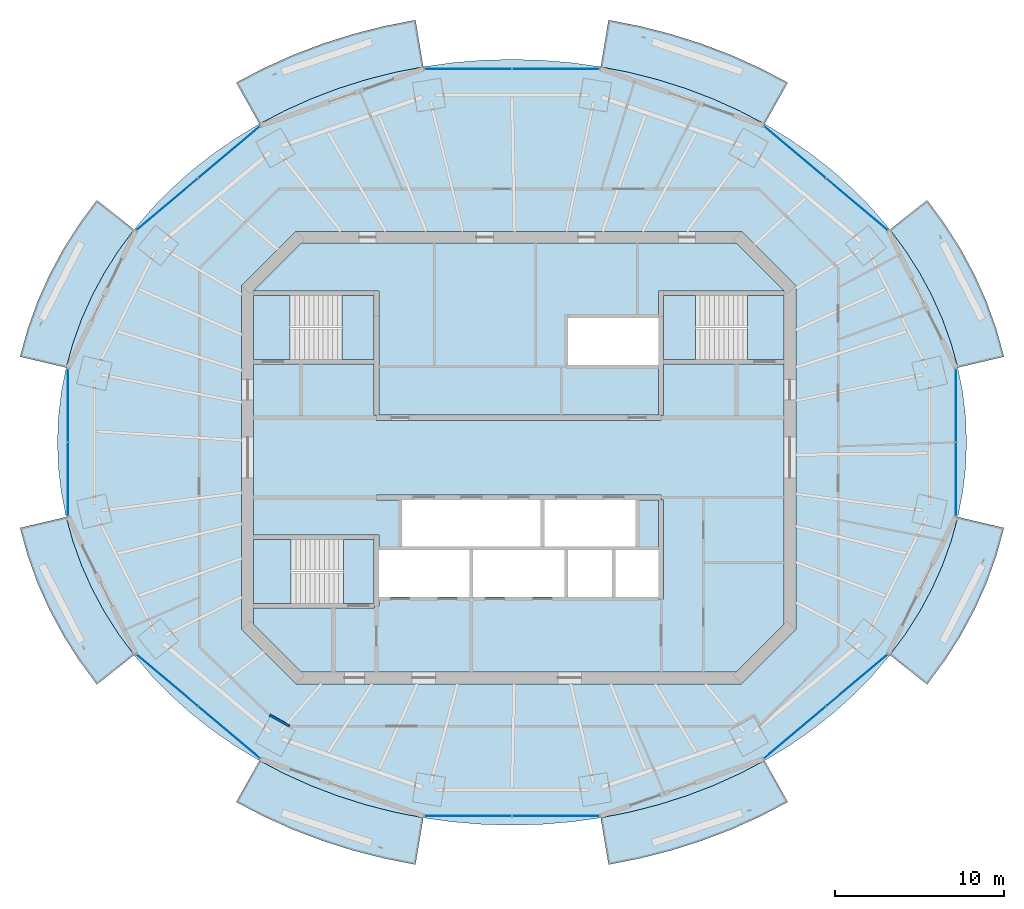
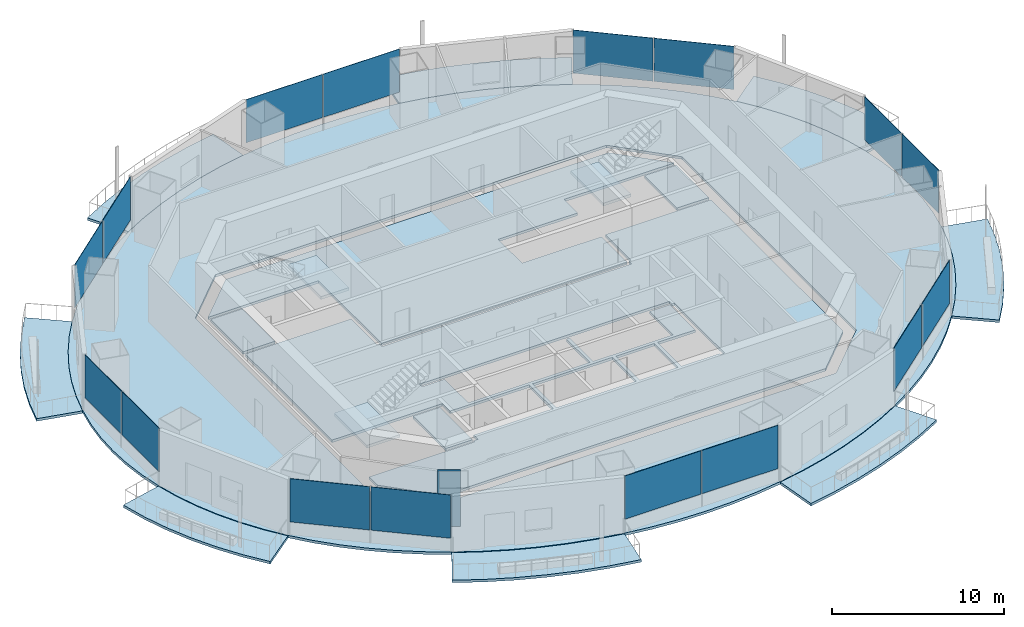
# One storey, part 7 of 16: 17 slabs, 16 plates, 1 wall, 11 elements without a shape of their own.
"""IFC4 building model written with IfcOpenShell, lengths in metres."""

from ifc_helpers import new_model, si_unit, direction, frame, frame_2d, origin, origin_2d, place, context, subcontext, project, spatial, polyline, rectangle, outline, extrude, material, layer, layer_set, type_object, element, aggregate, save


model = new_model("IFC4")

# Units and contexts
model_context = context("Model", 3, precision=1e-05, world=origin(), true_north=direction((0.0, 1.0)))
body_context = subcontext(model_context, "Body", "Model", "MODEL_VIEW")
ifc_project = project(units=[si_unit("LENGTHUNIT", "METRE"), si_unit("AREAUNIT", "SQUARE_METRE"), si_unit("VOLUMEUNIT", "CUBIC_METRE"), si_unit("PLANEANGLEUNIT", "RADIAN"), si_unit("MASSUNIT", "GRAM", prefix="KILO")], contexts=[model_context])

# Site, building, storey
site_placement = place(None, origin())
site = spatial("IfcSite", under=ifc_project, at=site_placement, CompositionType="ELEMENT")
building_placement = place(site_placement, origin())
building = spatial("IfcBuilding", under=site, at=building_placement, Name="Marenthal Gate Tower", CompositionType="ELEMENT")
storey_placement = place(building_placement, frame((0.0, 0.0, 346.75)))
storey = spatial("IfcBuildingStorey", under=building, at=storey_placement, Name="L78", CompositionType="ELEMENT", Elevation=346.75)

# Slabs
ifc_material_1 = material(Name="Concrete 40 MPa", Category="concrete")
ifc_layer_1 = layer(ifc_material_1, 0.179931640625)
ifc_layer_set_1 = layer_set([ifc_layer_1], Name="Balcony deck 180")
slab_type_1 = type_object("IfcSlabType", Name="Balcony deck 180", PredefinedType="USERDEFINED", material=ifc_layer_set_1)
slab_1_placement = place(storey_placement, frame((0.0, 0.0, -0.219970703125)))
element("IfcSlab", 1, at=slab_1_placement, inside=storey, type_object=slab_type_1, Name="Balcony deck L78 bay 1", ObjectType="BALCONY", PredefinedType="USERDEFINED", context=body_context, shape_type="SweptSolid", body=[
    extrude(outline(polyline([(25.91162109375, 5.308349609375), (25.512939453125, 6.748291015625), (25.00341796875, 8.1630859375), (24.385009765625, 9.547119140625), (23.660400390625, 10.89404296875), (22.8330078125, 12.197998046875), (21.90576171875, 13.45361328125), (24.099365234375, 15.19384765625), (25.142333984375, 13.781005859375), (26.07666015625, 12.308837890625), (26.8974609375, 10.78271484375), (27.600341796875, 9.209716796875), (28.18115234375, 7.59716796875), (28.636474609375, 5.951904296875), (25.91162109375, 5.308349609375)])), origin(), (0.0, 0.0, 1.0), 0.179931640625),
])
slab_2_placement = place(storey_placement, frame((0.0, 0.0, -0.219970703125)))
element("IfcSlab", 2, at=slab_2_placement, inside=storey, type_object=slab_type_1, Name="Balcony deck L78 bay 3", ObjectType="BALCONY", PredefinedType="USERDEFINED", context=body_context, shape_type="SweptSolid", body=[
    extrude(outline(polyline([(14.50439453125, 19.68798828125), (13.013427734375, 20.46875), (11.46533203125, 21.165771484375), (9.8662109375, 21.77587890625), (8.223388671875, 22.296875), (6.543212890625, 22.72607421875), (4.833740234375, 23.061767578125), (5.29638671875, 25.8232421875), (7.15966796875, 25.45751953125), (8.992919921875, 24.989013671875), (10.78857421875, 24.419677734375), (12.539306640625, 23.75146484375), (14.238037109375, 22.98681640625), (15.877685546875, 22.1279296875), (14.50439453125, 19.68798828125)])), origin(), (0.0, 0.0, 1.0), 0.179931640625),
])
slab_3_placement = place(storey_placement, frame((0.0, 0.0, -0.219970703125)))
element("IfcSlab", 3, at=slab_3_placement, inside=storey, type_object=slab_type_1, Name="Balcony deck L78 bay 5", ObjectType="BALCONY", PredefinedType="USERDEFINED", context=body_context, shape_type="SweptSolid", body=[
    extrude(outline(polyline([(-5.6337890625, 23.061767578125), (-7.34326171875, 22.72607421875), (-9.023193359375, 22.296875), (-10.666259765625, 21.77587890625), (-12.265380859375, 21.165771484375), (-13.8134765625, 20.46875), (-15.30419921875, 19.68798828125), (-16.677490234375, 22.1279296875), (-15.0380859375, 22.98681640625), (-13.33935546875, 23.75146484375), (-11.588623046875, 24.419677734375), (-9.79296875, 24.989013671875), (-7.959716796875, 25.45751953125), (-6.096435546875, 25.8232421875), (-5.6337890625, 23.061767578125)])), origin(), (0.0, 0.0, 1.0), 0.179931640625),
])
slab_4_placement = place(storey_placement, frame((0.0, 0.0, -0.219970703125)))
element("IfcSlab", 4, at=slab_4_placement, inside=storey, type_object=slab_type_1, Name="Balcony deck L78 bay 7", ObjectType="BALCONY", PredefinedType="USERDEFINED", context=body_context, shape_type="SweptSolid", body=[
    extrude(outline(polyline([(-22.705810546875, 13.45361328125), (-23.6328125, 12.197998046875), (-24.46044921875, 10.89404296875), (-25.184814453125, 9.547119140625), (-25.80322265625, 8.1630859375), (-26.31298828125, 6.748291015625), (-26.71142578125, 5.308349609375), (-29.4365234375, 5.951904296875), (-28.981201171875, 7.59716796875), (-28.400390625, 9.209716796875), (-27.697509765625, 10.78271484375), (-26.876708984375, 12.308837890625), (-25.9423828125, 13.781005859375), (-24.8994140625, 15.19384765625), (-22.705810546875, 13.45361328125)])), origin(), (0.0, 0.0, 1.0), 0.179931640625),
])
slab_5_placement = place(storey_placement, frame((0.0, 0.0, -0.219970703125)))
element("IfcSlab", 5, at=slab_5_placement, inside=storey, type_object=slab_type_1, Name="Balcony deck L78 bay 9", ObjectType="BALCONY", PredefinedType="USERDEFINED", context=body_context, shape_type="SweptSolid", body=[
    extrude(outline(polyline([(-26.71142578125, -3.50830078125), (-26.31298828125, -4.9482421875), (-25.80322265625, -6.36328125), (-25.184814453125, -7.7470703125), (-24.46044921875, -9.093994140625), (-23.6328125, -10.39794921875), (-22.705810546875, -11.65380859375), (-24.8994140625, -13.393798828125), (-25.9423828125, -11.98095703125), (-26.876708984375, -10.5087890625), (-27.697509765625, -8.982666015625), (-28.400390625, -7.409912109375), (-28.981201171875, -5.797119140625), (-29.4365234375, -4.15185546875), (-26.71142578125, -3.50830078125)])), origin(), (0.0, 0.0, 1.0), 0.179931640625),
])
slab_6_placement = place(storey_placement, frame((0.0, 0.0, -0.219970703125)))
element("IfcSlab", 6, at=slab_6_placement, inside=storey, type_object=slab_type_1, Name="Balcony deck L78 bay 11", ObjectType="BALCONY", PredefinedType="USERDEFINED", context=body_context, shape_type="SweptSolid", body=[
    extrude(outline(polyline([(-15.30419921875, -17.887939453125), (-13.8134765625, -18.668701171875), (-12.265380859375, -19.36572265625), (-10.666259765625, -19.97607421875), (-9.023193359375, -20.496826171875), (-7.34326171875, -20.926025390625), (-5.6337890625, -21.26171875), (-6.096435546875, -24.023193359375), (-7.959716796875, -23.657470703125), (-9.79296875, -23.18896484375), (-11.588623046875, -22.61962890625), (-13.33935546875, -21.951416015625), (-15.0380859375, -21.186767578125), (-16.677490234375, -20.327880859375), (-15.30419921875, -17.887939453125)])), origin(), (0.0, 0.0, 1.0), 0.179931640625),
])
slab_7_placement = place(storey_placement, frame((0.0, 0.0, -0.219970703125)))
element("IfcSlab", 7, at=slab_7_placement, inside=storey, type_object=slab_type_1, Name="Balcony deck L78 bay 13", ObjectType="BALCONY", PredefinedType="USERDEFINED", context=body_context, shape_type="SweptSolid", body=[
    extrude(outline(polyline([(4.833740234375, -21.26171875), (6.543212890625, -20.926025390625), (8.223388671875, -20.496826171875), (9.8662109375, -19.97607421875), (11.46533203125, -19.36572265625), (13.013427734375, -18.668701171875), (14.50439453125, -17.887939453125), (15.877685546875, -20.327880859375), (14.238037109375, -21.186767578125), (12.539306640625, -21.951416015625), (10.78857421875, -22.61962890625), (8.992919921875, -23.18896484375), (7.15966796875, -23.657470703125), (5.29638671875, -24.023193359375), (4.833740234375, -21.26171875)])), origin(), (0.0, 0.0, 1.0), 0.179931640625),
])
slab_8_placement = place(storey_placement, frame((0.0, 0.0, -0.219970703125)))
element("IfcSlab", 8, at=slab_8_placement, inside=storey, type_object=slab_type_1, Name="Balcony deck L78 bay 15", ObjectType="BALCONY", PredefinedType="USERDEFINED", context=body_context, shape_type="SweptSolid", body=[
    extrude(outline(polyline([(21.90576171875, -11.65380859375), (22.8330078125, -10.39794921875), (23.660400390625, -9.093994140625), (24.385009765625, -7.7470703125), (25.00341796875, -6.36328125), (25.512939453125, -4.9482421875), (25.91162109375, -3.50830078125), (28.636474609375, -4.15185546875), (28.18115234375, -5.797119140625), (27.600341796875, -7.409912109375), (26.8974609375, -8.982666015625), (26.07666015625, -10.5087890625), (25.142333984375, -11.98095703125), (24.099365234375, -13.393798828125), (21.90576171875, -11.65380859375)])), origin(), (0.0, 0.0, 1.0), 0.179931640625),
])
ifc_material_2 = material(Name="Concrete 50 MPa", Category="concrete")
ifc_layer_2 = layer(ifc_material_2, 0.179931640625)
ifc_layer_set_2 = layer_set([ifc_layer_2], Name="Core floor slab 180")
slab_type_2 = type_object("IfcSlabType", Name="Core floor slab 180", PredefinedType="FLOOR", material=ifc_layer_set_2)
slab_9_placement = place(storey_placement, frame((0.0, 0.0, -0.179931640625)))
element("IfcSlab", 9, at=slab_9_placement, inside=storey, type_object=slab_type_2, Name="Core floor L78", PredefinedType="FLOOR", context=body_context, shape_type="SweptSolid", body=[
    extrude(outline(polyline([(12.85498046875, -12.64990234375), (-12.85498046875, -12.64990234375), (-15.64990234375, -9.85498046875), (-15.64990234375, -8.875), (-8.550048828125, -8.875), (-8.550048828125, -8.75), (-8.25, -8.75), (-8.25, -8.239990234375), (-5.60009765625, -8.239990234375), (-2.909912109375, -8.239990234375), (-2.909912109375, -5.4599609375), (-5.60009765625, -5.4599609375), (-8.25, -5.4599609375), (-8.25, -4.574951171875), (-8.550048828125, -4.574951171875), (-15.64990234375, -4.574951171875), (-15.64990234375, 5.52490234375), (-8.550048828125, 5.52490234375), (-8.550048828125, 2.5), (-8.39990234375, 2.5), (-8.39990234375, 2.199951171875), (8.39990234375, 2.199951171875), (8.39990234375, 2.5), (8.550048828125, 2.5), (8.550048828125, 5.52490234375), (15.64990234375, 5.52490234375), (15.64990234375, -9.85498046875), (12.85498046875, -12.64990234375)]), holes=[polyline([(0.0, -8.239990234375), (2.68994140625, -8.239990234375), (2.68994140625, -5.4599609375), (0.0, -5.4599609375), (-2.68994140625, -5.4599609375), (-2.68994140625, -8.239990234375), (0.0, -8.239990234375)]), polyline([(1.2900390625, -5.239990234375), (1.2900390625, -2.5), (1.510009765625, -2.5), (1.510009765625, -5.239990234375), (4.199951171875, -5.239990234375), (6.889892578125, -5.239990234375), (6.889892578125, -2.5), (8.25, -2.5), (8.25, -5.4599609375), (5.7099609375, -5.4599609375), (5.7099609375, -8.239990234375), (8.25, -8.239990234375), (8.25, -8.35009765625), (8.550048828125, -8.35009765625), (8.550048828125, -2.5), (8.39990234375, -2.5), (8.39990234375, -2.199951171875), (-8.39990234375, -2.199951171875), (-8.39990234375, -2.5), (-6.889892578125, -2.5), (-6.889892578125, -5.239990234375), (-4.199951171875, -5.239990234375), (-1.39990234375, -5.239990234375), (1.2900390625, -5.239990234375)]), polyline([(5.489990234375, -5.4599609375), (2.909912109375, -5.4599609375), (2.909912109375, -8.239990234375), (5.489990234375, -8.239990234375), (5.489990234375, -5.4599609375)])]), origin(), (0.0, 0.0, 1.0), 0.179931640625),
])
slab_10_placement = place(storey_placement, frame((0.0, 0.0, -0.179931640625)))
element("IfcSlab", 10, at=slab_10_placement, inside=storey, type_object=slab_type_2, Name="Core floor L78", PredefinedType="FLOOR", context=body_context, shape_type="SweptSolid", body=[
    extrude(outline(polyline([(15.64990234375, 5.77490234375), (13.5, 5.77490234375), (13.5, 9.574951171875), (15.64990234375, 9.574951171875), (15.64990234375, 5.77490234375)])), origin(), (0.0, 0.0, 1.0), 0.179931640625),
])
slab_11_placement = place(storey_placement, frame((0.0, 0.0, -0.179931640625)))
element("IfcSlab", 11, at=slab_11_placement, inside=storey, type_object=slab_type_2, Name="Core floor L78", PredefinedType="FLOOR", context=body_context, shape_type="SweptSolid", body=[
    extrude(outline(polyline([(15.64990234375, 9.824951171875), (8.550048828125, 9.824951171875), (8.25, 9.824951171875), (8.25, 8.35009765625), (8.25, 8.239990234375), (5.60009765625, 8.239990234375), (2.909912109375, 8.239990234375), (2.909912109375, 5.4599609375), (5.60009765625, 5.4599609375), (8.25, 5.4599609375), (8.25, 2.5), (-8.25, 2.5), (-8.25, 8.35009765625), (-8.25, 9.824951171875), (-8.550048828125, 9.824951171875), (-15.64990234375, 9.824951171875), (-15.64990234375, 9.85498046875), (-12.85498046875, 12.64990234375), (12.85498046875, 12.64990234375), (15.64990234375, 9.85498046875), (15.64990234375, 9.824951171875)])), origin(), (0.0, 0.0, 1.0), 0.179931640625),
])
slab_12_placement = place(storey_placement, frame((0.0, 0.0, -0.179931640625)))
element("IfcSlab", 12, at=slab_12_placement, inside=storey, type_object=slab_type_2, Name="Core floor L78", PredefinedType="FLOOR", context=body_context, shape_type="SweptSolid", body=[
    extrude(outline(polyline([(-15.64990234375, 9.574951171875), (-13.5, 9.574951171875), (-13.5, 5.77490234375), (-15.64990234375, 5.77490234375), (-15.64990234375, 9.574951171875)])), origin(), (0.0, 0.0, 1.0), 0.179931640625),
])
slab_13_placement = place(storey_placement, frame((0.0, 0.0, -0.179931640625)))
element("IfcSlab", 13, at=slab_13_placement, inside=storey, type_object=slab_type_2, Name="Core floor L78", PredefinedType="FLOOR", context=body_context, shape_type="SweptSolid", body=[
    extrude(outline(polyline([(-8.550048828125, -4.824951171875), (-8.550048828125, -8.625), (-10.35009765625, -8.625), (-10.35009765625, -4.824951171875), (-8.550048828125, -4.824951171875)])), origin(), (0.0, 0.0, 1.0), 0.179931640625),
])
ifc_material_3 = material(Name="Concrete 35 MPa", Category="concrete")
ifc_layer_3 = layer(ifc_material_3, 0.179931640625)
ifc_layer_set_3 = layer_set([ifc_layer_3], Name="Floor slab 180")
slab_type_3 = type_object("IfcSlabType", Name="Floor slab 180", PredefinedType="FLOOR", material=ifc_layer_set_3)
slab_14_placement = place(storey_placement, frame((0.0, 0.0, -0.179931640625)))
element("IfcSlab", 14, at=slab_14_placement, inside=storey, type_object=slab_type_3, Name="SL-L78-01", PredefinedType="FLOOR", context=body_context, shape_type="SweptSolid", body=[
    extrude(outline(polyline([(26.427001953125, 0.89990234375), (26.36962890625, 2.377685546875), (26.197509765625, 3.849365234375), (25.91162109375, 5.308349609375), (25.512939453125, 6.748291015625), (25.00341796875, 8.1630859375), (24.385009765625, 9.547119140625), (23.660400390625, 10.89404296875), (22.8330078125, 12.197998046875), (21.90576171875, 13.45361328125), (20.88330078125, 14.655517578125), (19.76953125, 15.798583984375), (18.569580078125, 16.877685546875), (17.288330078125, 17.888671875), (15.93115234375, 18.82666015625), (14.50439453125, 19.68798828125), (13.013427734375, 20.46875), (11.46533203125, 21.165771484375), (9.8662109375, 21.77587890625), (8.223388671875, 22.296875), (6.543212890625, 22.72607421875), (4.833740234375, 23.061767578125), (3.1015625, 23.302734375), (1.3544921875, 23.447509765625), (-0.39990234375, 23.49609375), (-2.154541015625, 23.447509765625), (-3.901611328125, 23.302734375), (-5.6337890625, 23.061767578125), (-7.34326171875, 22.72607421875), (-9.023193359375, 22.296875), (-10.666259765625, 21.77587890625), (-12.265380859375, 21.165771484375), (-13.8134765625, 20.46875), (-15.30419921875, 19.68798828125), (-16.731201171875, 18.82666015625), (-18.08837890625, 17.888671875), (-19.36962890625, 16.877685546875), (-20.569580078125, 15.798583984375), (-21.683349609375, 14.655517578125), (-22.705810546875, 13.45361328125), (-23.6328125, 12.197998046875), (-24.46044921875, 10.89404296875), (-25.184814453125, 9.547119140625), (-25.80322265625, 8.1630859375), (-26.31298828125, 6.748291015625), (-26.71142578125, 5.308349609375), (-26.99755859375, 3.849365234375), (-27.169677734375, 2.377685546875), (-27.22705078125, 0.89990234375), (-27.169677734375, -0.577880859375), (-26.99755859375, -2.04931640625), (-26.71142578125, -3.50830078125), (-26.31298828125, -4.9482421875), (-25.80322265625, -6.36328125), (-25.184814453125, -7.7470703125), (-24.46044921875, -9.093994140625), (-23.6328125, -10.39794921875), (-22.705810546875, -11.65380859375), (-21.683349609375, -12.855712890625), (-20.569580078125, -13.99853515625), (-19.36962890625, -15.077880859375), (-18.08837890625, -16.088623046875), (-16.731201171875, -17.026611328125), (-15.30419921875, -17.887939453125), (-13.8134765625, -18.668701171875), (-12.265380859375, -19.36572265625), (-10.666259765625, -19.97607421875), (-9.023193359375, -20.496826171875), (-7.34326171875, -20.926025390625), (-5.6337890625, -21.26171875), (-3.901611328125, -21.502685546875), (-2.154541015625, -21.647705078125), (-0.39990234375, -21.696044921875), (1.3544921875, -21.647705078125), (3.1015625, -21.502685546875), (4.833740234375, -21.26171875), (6.543212890625, -20.926025390625), (8.223388671875, -20.496826171875), (9.8662109375, -19.97607421875), (11.46533203125, -19.36572265625), (13.013427734375, -18.668701171875), (14.50439453125, -17.887939453125), (15.93115234375, -17.026611328125), (17.288330078125, -16.088623046875), (18.569580078125, -15.077880859375), (19.76953125, -13.99853515625), (20.88330078125, -12.855712890625), (21.90576171875, -11.65380859375), (22.8330078125, -10.39794921875), (23.660400390625, -9.093994140625), (24.385009765625, -7.7470703125), (25.00341796875, -6.36328125), (25.512939453125, -4.9482421875), (25.91162109375, -3.50830078125), (26.197509765625, -2.04931640625), (26.36962890625, -0.577880859375), (26.427001953125, 0.89990234375)]), holes=[polyline([(13.14501953125, -13.35009765625), (16.35009765625, -10.14501953125), (16.35009765625, 10.14501953125), (13.14501953125, 13.35009765625), (-13.14501953125, 13.35009765625), (-16.35009765625, 10.14501953125), (-16.35009765625, -10.14501953125), (-13.14501953125, -13.35009765625), (13.14501953125, -13.35009765625)])]), origin(), (0.0, 0.0, 1.0), 0.179931640625),
])

# Curtain wall, plates
ifc_material_4 = material(Name="Aluminium and glass", Category="aluminium")
curtain_wall_type = type_object("IfcCurtainWallType", Name="Curtain wall typical high", PredefinedType="NOTDEFINED", material=ifc_material_4)
curtain_wall_1_placement = place(storey_placement, origin())
curtain_wall_1 = element("IfcCurtainWall", 15, at=curtain_wall_1_placement, inside=storey, type_object=curtain_wall_type, Name="Curtain wall L78 bay 2", PredefinedType="NOTDEFINED")
ifc_material_5 = material(Name="Glass, laminated insulating unit", Category="glass")
ifc_layer_4 = layer(ifc_material_5, 0.031982421875)
ifc_layer_set_4 = layer_set([ifc_layer_4], Name="Glass panel 32 typical high")
plate_type = type_object("IfcPlateType", Name="Glass panel 32 typical high", PredefinedType="CURTAIN_PANEL", material=ifc_layer_set_4)
plate_1_placement = place(storey_placement, frame((19.952392578125, 14.947021484375, 0.89990234375), z_axis=(0.0, 0.0, 1.0), x_axis=(-0.765113379195, 0.643895579249, 0.0)))
plate_1 = element("IfcPlate", 16, at=plate_1_placement, type_object=plate_type, Name="Glass panel L78 bay 2.1", PredefinedType="CURTAIN_PANEL", context=body_context, shape_type="SweptSolid", body=[
    extrude(rectangle(XDim=4.725341796875, YDim=0.031982421875, at=origin_2d()), origin(), (0.0, 0.0, 1.0), 3.070068359375),
])
plate_2_placement = place(storey_placement, frame((16.291259765625, 18.028076171875, 0.89990234375), z_axis=(0.0, 0.0, 1.0), x_axis=(-0.765113379195, 0.643895579249, 0.0)))
plate_2 = element("IfcPlate", 17, at=plate_2_placement, type_object=plate_type, Name="Glass panel L78 bay 2.2", PredefinedType="CURTAIN_PANEL", context=body_context, shape_type="SweptSolid", body=[
    extrude(rectangle(XDim=4.725341796875, YDim=0.031982421875, at=origin_2d()), origin(), (0.0, 0.0, 1.0), 3.070068359375),
])
aggregate(curtain_wall_1, [plate_1, plate_2])

curtain_wall_2_placement = place(storey_placement, origin())
curtain_wall_2 = element("IfcCurtainWall", 18, at=curtain_wall_2_placement, inside=storey, type_object=curtain_wall_type, Name="Curtain wall L78 bay 4", PredefinedType="NOTDEFINED")
plate_3_placement = place(storey_placement, frame((2.190185546875, 22.944091796875, 0.89990234375), z_axis=(0.0, 0.0, 1.0), x_axis=(-1.0, 0.0, 0.0)))
plate_3 = element("IfcPlate", 19, at=plate_3_placement, type_object=plate_type, Name="Glass panel L78 bay 4.1", PredefinedType="CURTAIN_PANEL", context=body_context, shape_type="SweptSolid", body=[
    extrude(rectangle(XDim=5.120361328125, YDim=0.031982421875, at=origin_2d()), origin(), (0.0, 0.0, 1.0), 3.070068359375),
])
plate_4_placement = place(storey_placement, frame((-2.990234375, 22.944091796875, 0.89990234375), z_axis=(0.0, 0.0, 1.0), x_axis=(-1.0, 0.0, 0.0)))
plate_4 = element("IfcPlate", 20, at=plate_4_placement, type_object=plate_type, Name="Glass panel L78 bay 4.2", PredefinedType="CURTAIN_PANEL", context=body_context, shape_type="SweptSolid", body=[
    extrude(rectangle(XDim=5.120361328125, YDim=0.031982421875, at=origin_2d()), origin(), (0.0, 0.0, 1.0), 3.070068359375),
])
aggregate(curtain_wall_2, [plate_3, plate_4])

curtain_wall_3_placement = place(storey_placement, origin())
curtain_wall_3 = element("IfcCurtainWall", 21, at=curtain_wall_3_placement, inside=storey, type_object=curtain_wall_type, Name="Curtain wall L78 bay 6", PredefinedType="NOTDEFINED")
plate_5_placement = place(storey_placement, frame((-17.09130859375, 18.028076171875, 0.89990234375), z_axis=(0.0, 0.0, 1.0), x_axis=(-0.765113379195, -0.643895579249, 0.0)))
plate_5 = element("IfcPlate", 22, at=plate_5_placement, type_object=plate_type, Name="Glass panel L78 bay 6.1", PredefinedType="CURTAIN_PANEL", context=body_context, shape_type="SweptSolid", body=[
    extrude(rectangle(XDim=4.725341796875, YDim=0.031982421875, at=origin_2d()), origin(), (0.0, 0.0, 1.0), 3.070068359375),
])
plate_6_placement = place(storey_placement, frame((-20.75244140625, 14.947021484375, 0.89990234375), z_axis=(0.0, 0.0, 1.0), x_axis=(-0.765113379195, -0.643895579249, 0.0)))
plate_6 = element("IfcPlate", 23, at=plate_6_placement, type_object=plate_type, Name="Glass panel L78 bay 6.2", PredefinedType="CURTAIN_PANEL", context=body_context, shape_type="SweptSolid", body=[
    extrude(rectangle(XDim=4.725341796875, YDim=0.031982421875, at=origin_2d()), origin(), (0.0, 0.0, 1.0), 3.070068359375),
])
aggregate(curtain_wall_3, [plate_5, plate_6])

curtain_wall_4_placement = place(storey_placement, origin())
curtain_wall_4 = element("IfcCurtainWall", 24, at=curtain_wall_4_placement, inside=storey, type_object=curtain_wall_type, Name="Curtain wall L78 bay 8", PredefinedType="NOTDEFINED")
plate_7_placement = place(storey_placement, frame((-26.59375, 3.077392578125, 0.89990234375), z_axis=(0.0, 0.0, 1.0), x_axis=(0.0, -1.0, 0.0)))
plate_7 = element("IfcPlate", 25, at=plate_7_placement, type_object=plate_type, Name="Glass panel L78 bay 8.1", PredefinedType="CURTAIN_PANEL", context=body_context, shape_type="SweptSolid", body=[
    extrude(rectangle(XDim=4.294921875, YDim=0.031982421875, at=origin_2d()), origin(), (0.0, 0.0, 1.0), 3.070068359375),
])
plate_8_placement = place(storey_placement, frame((-26.59375, -1.27734375, 0.89990234375), z_axis=(0.0, 0.0, 1.0), x_axis=(0.0, -1.0, 0.0)))
plate_8 = element("IfcPlate", 26, at=plate_8_placement, type_object=plate_type, Name="Glass panel L78 bay 8.2", PredefinedType="CURTAIN_PANEL", context=body_context, shape_type="SweptSolid", body=[
    extrude(rectangle(XDim=4.294921875, YDim=0.031982421875, at=origin_2d()), origin(), (0.0, 0.0, 1.0), 3.070068359375),
])
aggregate(curtain_wall_4, [plate_7, plate_8])

curtain_wall_5_placement = place(storey_placement, origin())
curtain_wall_5 = element("IfcCurtainWall", 27, at=curtain_wall_5_placement, inside=storey, type_object=curtain_wall_type, Name="Curtain wall L78 bay 10", PredefinedType="NOTDEFINED")
plate_9_placement = place(storey_placement, frame((-20.75244140625, -13.14697265625, 0.89990234375), z_axis=(0.0, 0.0, 1.0), x_axis=(0.765113379195, -0.643895579249, 0.0)))
plate_9 = element("IfcPlate", 28, at=plate_9_placement, type_object=plate_type, Name="Glass panel L78 bay 10.1", PredefinedType="CURTAIN_PANEL", context=body_context, shape_type="SweptSolid", body=[
    extrude(rectangle(XDim=4.725341796875, YDim=0.031982421875, at=origin_2d()), origin(), (0.0, 0.0, 1.0), 3.070068359375),
])
plate_10_placement = place(storey_placement, frame((-17.09130859375, -16.228271484375, 0.89990234375), z_axis=(0.0, 0.0, 1.0), x_axis=(0.765113379195, -0.643895579249, 0.0)))
plate_10 = element("IfcPlate", 29, at=plate_10_placement, type_object=plate_type, Name="Glass panel L78 bay 10.2", PredefinedType="CURTAIN_PANEL", context=body_context, shape_type="SweptSolid", body=[
    extrude(rectangle(XDim=4.725341796875, YDim=0.031982421875, at=origin_2d()), origin(), (0.0, 0.0, 1.0), 3.070068359375),
])
aggregate(curtain_wall_5, [plate_9, plate_10])

curtain_wall_6_placement = place(storey_placement, origin())
curtain_wall_6 = element("IfcCurtainWall", 30, at=curtain_wall_6_placement, inside=storey, type_object=curtain_wall_type, Name="Curtain wall L78 bay 12", PredefinedType="NOTDEFINED")
plate_11_placement = place(storey_placement, frame((-2.990234375, -21.14404296875, 0.89990234375), z_axis=(0.0, 0.0, 1.0), x_axis=(1.0, 0.0, 0.0)))
plate_11 = element("IfcPlate", 31, at=plate_11_placement, type_object=plate_type, Name="Glass panel L78 bay 12.1", PredefinedType="CURTAIN_PANEL", context=body_context, shape_type="SweptSolid", body=[
    extrude(rectangle(XDim=5.120361328125, YDim=0.031982421875, at=origin_2d()), origin(), (0.0, 0.0, 1.0), 3.070068359375),
])
plate_12_placement = place(storey_placement, frame((2.190185546875, -21.14404296875, 0.89990234375), z_axis=(0.0, 0.0, 1.0), x_axis=(1.0, 0.0, 0.0)))
plate_12 = element("IfcPlate", 32, at=plate_12_placement, type_object=plate_type, Name="Glass panel L78 bay 12.2", PredefinedType="CURTAIN_PANEL", context=body_context, shape_type="SweptSolid", body=[
    extrude(rectangle(XDim=5.120361328125, YDim=0.031982421875, at=origin_2d()), origin(), (0.0, 0.0, 1.0), 3.070068359375),
])
aggregate(curtain_wall_6, [plate_11, plate_12])

curtain_wall_7_placement = place(storey_placement, origin())
curtain_wall_7 = element("IfcCurtainWall", 33, at=curtain_wall_7_placement, inside=storey, type_object=curtain_wall_type, Name="Curtain wall L78 bay 14", PredefinedType="NOTDEFINED")
plate_13_placement = place(storey_placement, frame((16.291259765625, -16.228271484375, 0.89990234375), z_axis=(0.0, 0.0, 1.0), x_axis=(0.765113379195, 0.643895579249, 0.0)))
plate_13 = element("IfcPlate", 34, at=plate_13_placement, type_object=plate_type, Name="Glass panel L78 bay 14.1", PredefinedType="CURTAIN_PANEL", context=body_context, shape_type="SweptSolid", body=[
    extrude(rectangle(XDim=4.725341796875, YDim=0.031982421875, at=origin_2d()), origin(), (0.0, 0.0, 1.0), 3.070068359375),
])
plate_14_placement = place(storey_placement, frame((19.952392578125, -13.14697265625, 0.89990234375), z_axis=(0.0, 0.0, 1.0), x_axis=(0.765113379195, 0.643895579249, 0.0)))
plate_14 = element("IfcPlate", 35, at=plate_14_placement, type_object=plate_type, Name="Glass panel L78 bay 14.2", PredefinedType="CURTAIN_PANEL", context=body_context, shape_type="SweptSolid", body=[
    extrude(rectangle(XDim=4.725341796875, YDim=0.031982421875, at=origin_2d()), origin(), (0.0, 0.0, 1.0), 3.070068359375),
])
aggregate(curtain_wall_7, [plate_13, plate_14])

curtain_wall_8_placement = place(storey_placement, origin())
curtain_wall_8 = element("IfcCurtainWall", 36, at=curtain_wall_8_placement, inside=storey, type_object=curtain_wall_type, Name="Curtain wall L78 bay 16", PredefinedType="NOTDEFINED")
plate_15_placement = place(storey_placement, frame((25.793701171875, -1.27734375, 0.89990234375), z_axis=(0.0, 0.0, 1.0), x_axis=(0.0, 1.0, 0.0)))
plate_15 = element("IfcPlate", 37, at=plate_15_placement, type_object=plate_type, Name="Glass panel L78 bay 16.1", PredefinedType="CURTAIN_PANEL", context=body_context, shape_type="SweptSolid", body=[
    extrude(rectangle(XDim=4.294921875, YDim=0.031982421875, at=origin_2d()), origin(), (0.0, 0.0, 1.0), 3.070068359375),
])
plate_16_placement = place(storey_placement, frame((25.793701171875, 3.077392578125, 0.89990234375), z_axis=(0.0, 0.0, 1.0), x_axis=(0.0, 1.0, 0.0)))
plate_16 = element("IfcPlate", 38, at=plate_16_placement, type_object=plate_type, Name="Glass panel L78 bay 16.2", PredefinedType="CURTAIN_PANEL", context=body_context, shape_type="SweptSolid", body=[
    extrude(rectangle(XDim=4.294921875, YDim=0.031982421875, at=origin_2d()), origin(), (0.0, 0.0, 1.0), 3.070068359375),
])
aggregate(curtain_wall_8, [plate_15, plate_16])

# Stair, slab
ifc_material_6 = material(Name="Concrete 40 MPa", Category="concrete")
stair_type = type_object("IfcStairType", Name="Exit stair 1800", PredefinedType="HALF_TURN_STAIR", material=ifc_material_6)
stair_1_placement = place(storey_placement, origin())
stair_1 = element("IfcStair", 39, at=stair_1_placement, inside=storey, type_object=stair_type, Name="Stair ST1", PredefinedType="HALF_TURN_STAIR")
ifc_material_7 = material(Name="Concrete 40 MPa", Category="concrete")
ifc_layer_5 = layer(ifc_material_7, 0.199951171875)
ifc_layer_set_5 = layer_set([ifc_layer_5], Name="Stair landing 200")
slab_type_4 = type_object("IfcSlabType", Name="Stair landing 200", PredefinedType="LANDING", material=ifc_layer_set_5)
slab_15_placement = place(storey_placement, frame((0.0, 0.0, 1.875)))
slab_15 = element("IfcSlab", 40, at=slab_15_placement, type_object=slab_type_4, Name="ST1 landing 1", PredefinedType="LANDING", context=body_context, shape_type="SweptSolid", body=[
    extrude(outline(polyline([(-10.419921875, 5.77490234375), (-8.550048828125, 5.77490234375), (-8.550048828125, 9.574951171875), (-10.419921875, 9.574951171875), (-10.419921875, 5.77490234375)])), origin(), (0.0, 0.0, 1.0), 0.199951171875),
])
aggregate(stair_1, [slab_15])

stair_2_placement = place(storey_placement, origin())
stair_2 = element("IfcStair", 41, at=stair_2_placement, inside=storey, type_object=stair_type, Name="Stair ST2", PredefinedType="HALF_TURN_STAIR")
slab_16_placement = place(storey_placement, frame((0.0, 0.0, 1.875)))
slab_16 = element("IfcSlab", 42, at=slab_16_placement, type_object=slab_type_4, Name="ST2 landing 1", PredefinedType="LANDING", context=body_context, shape_type="SweptSolid", body=[
    extrude(outline(polyline([(-15.64990234375, -8.625), (-13.429931640625, -8.625), (-13.429931640625, -4.824951171875), (-15.64990234375, -4.824951171875), (-15.64990234375, -8.625)])), origin(), (0.0, 0.0, 1.0), 0.199951171875),
])
aggregate(stair_2, [slab_16])

stair_3_placement = place(storey_placement, origin())
stair_3 = element("IfcStair", 43, at=stair_3_placement, inside=storey, type_object=stair_type, Name="Stair ST3", PredefinedType="HALF_TURN_STAIR")
slab_17_placement = place(storey_placement, frame((0.0, 0.0, 1.875)))
slab_17 = element("IfcSlab", 44, at=slab_17_placement, type_object=slab_type_4, Name="ST3 landing 1", PredefinedType="LANDING", context=body_context, shape_type="SweptSolid", body=[
    extrude(outline(polyline([(8.550048828125, 5.77490234375), (10.419921875, 5.77490234375), (10.419921875, 9.574951171875), (8.550048828125, 9.574951171875), (8.550048828125, 5.77490234375)])), origin(), (0.0, 0.0, 1.0), 0.199951171875),
])
aggregate(stair_3, [slab_17])

# Wall
ifc_material_8 = material(Name="Gypsum board on steel studs", Category="steel")
ifc_layer_6 = layer(ifc_material_8, 0.14990234375)
ifc_layer_set_6 = layer_set([ifc_layer_6], Name="Partition 150")
wall_type = type_object("IfcWallType", Name="Partition 150", PredefinedType="PARTITIONING", material=ifc_layer_set_6)
wall_placement = place(storey_placement, frame((-13.527587890625, -15.85009765625, 0.0), z_axis=(0.0, 0.0, 1.0), x_axis=(-0.874029209117, 0.485873380224, 0.0)))
element("IfcWall", 45, at=wall_placement, inside=storey, type_object=wall_type, Name="Partition wall 57", PredefinedType="PARTITIONING", context=body_context, shape_type="SweptSolid", body=[
    extrude(rectangle(XDim=1.34912109375, YDim=0.14990234375, at=frame_2d((0.674560546875, 0.0))), origin(), (0.0, 0.0, 1.0), 3.969970703125),
])

save(model, "model.ifc")
